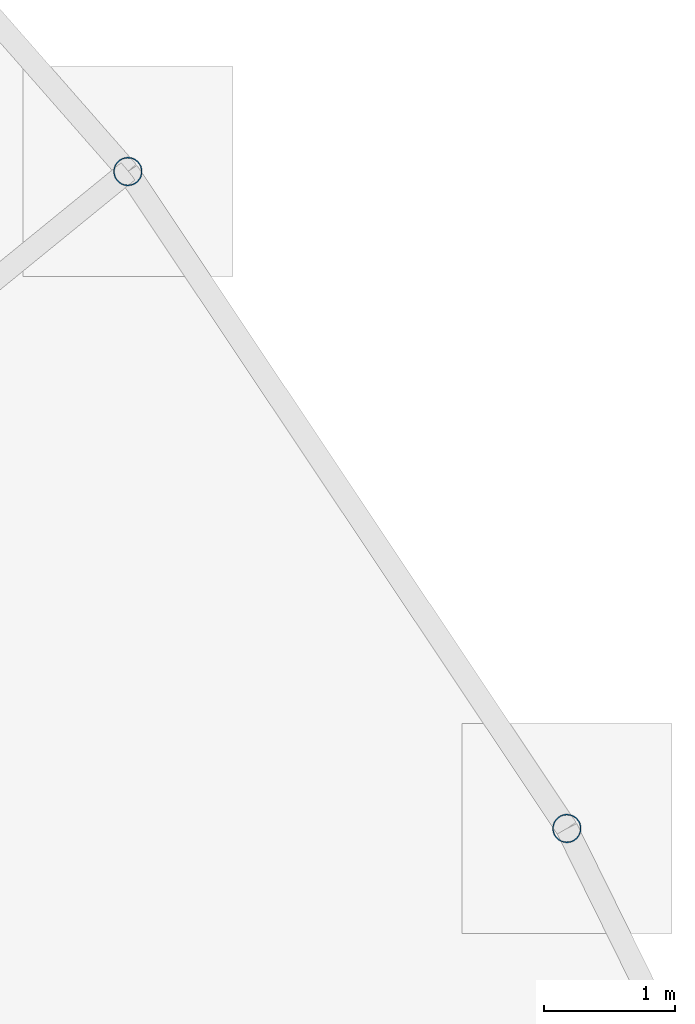
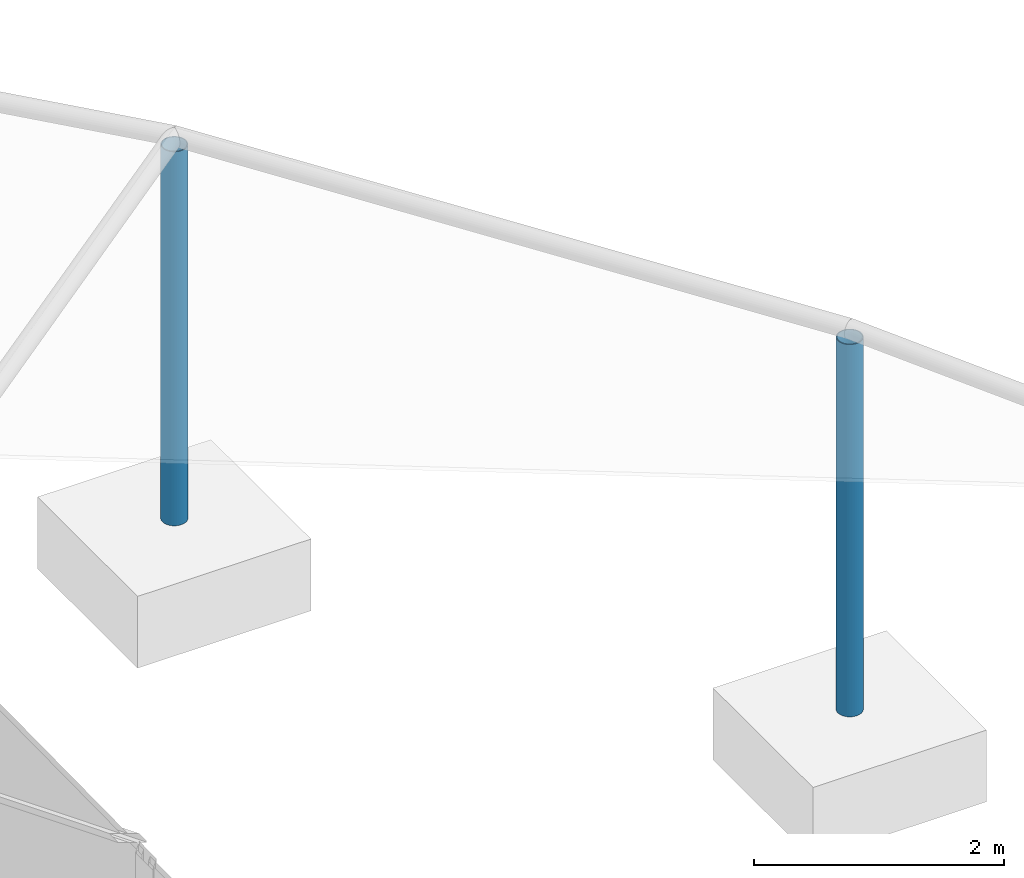
# One storey, part 41 of 226: 2 columns.
"""IFC4 building model written with IfcOpenShell, lengths in metres."""

from ifc_helpers import new_model, si_unit, direction, frame, origin, origin_2d, place, context, subcontext, project, spatial, hollow_circle, extrude, material, material_profile, profile_set, type_object, element, save


model = new_model("IFC4")

# Units and contexts
model_context = context("Model", 3, precision=1e-05, world=origin(), true_north=direction((0.0, 1.0)))
body_context = subcontext(model_context, "Body", "Model", "MODEL_VIEW")
ifc_project = project(units=[si_unit("LENGTHUNIT", "METRE"), si_unit("AREAUNIT", "SQUARE_METRE"), si_unit("VOLUMEUNIT", "CUBIC_METRE"), si_unit("PLANEANGLEUNIT", "RADIAN"), si_unit("MASSUNIT", "GRAM", prefix="KILO")], contexts=[model_context])

# Site, building, storey
site_placement = place(None, origin())
site = spatial("IfcSite", under=ifc_project, at=site_placement, CompositionType="ELEMENT")
building_placement = place(site_placement, origin())
building = spatial("IfcBuilding", under=site, at=building_placement, Name="Ceibo Conservatory and Research Tower", CompositionType="ELEMENT")
storey_placement = place(building_placement, origin())
storey = spatial("IfcBuildingStorey", under=building, at=storey_placement, Name="L00", CompositionType="ELEMENT", Elevation=0.0)

# Columns
ifc_material = material(Name="Steel ASTM A500 Gr C", Category="steel")
ifc_material_profile = material_profile(ifc_material, hollow_circle(Radius=0.109619140625, WallThickness=0.00830078125, at=origin_2d()), Name="CHS column 219.1x8.18")
ifc_profile_set = profile_set([ifc_material_profile], Name="Steel ASTM A500 Gr C")
column_type = type_object("IfcColumnType", Name="CHS column 219.1x8.18", PredefinedType="COLUMN", material=ifc_profile_set)
column_1_placement = place(storey_placement, frame((195.837158203125, 131.0, 0.0), z_axis=(0.0, 0.0, 1.0), x_axis=(1.0, 0.0, 0.0)))
element("IfcColumn", 1, at=column_1_placement, inside=storey, type_object=column_type, Name="Colonnade column A-CL13", PredefinedType="COLUMN", context=body_context, shape_type="SweptSolid", body=[
    extrude(hollow_circle(Radius=0.109619140625, WallThickness=0.00830078125, at=origin_2d()), origin(), (0.0, 0.0, 1.0), 3.631103515625),
])
column_2_placement = place(storey_placement, frame((192.494140625, 136.0029296875, 0.0), z_axis=(0.0, 0.0, 1.0), x_axis=(1.0, 0.0, 0.0)))
element("IfcColumn", 2, at=column_2_placement, inside=storey, type_object=column_type, Name="Colonnade column A-CL14", PredefinedType="COLUMN", context=body_context, shape_type="SweptSolid", body=[
    extrude(hollow_circle(Radius=0.109619140625, WallThickness=0.00830078125, at=origin_2d()), origin(), (0.0, 0.0, 1.0), 3.64794921875),
])

save(model, "model.ifc")
